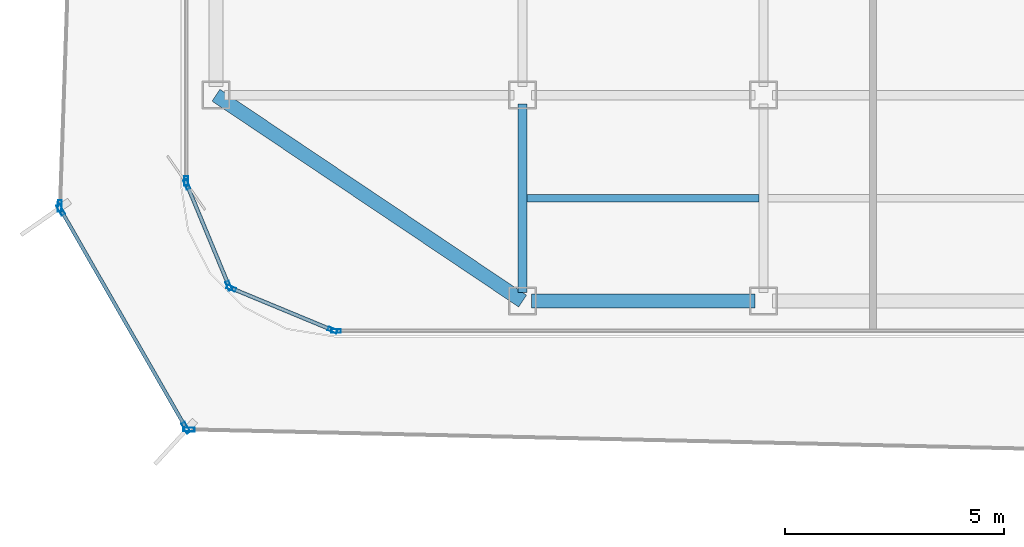
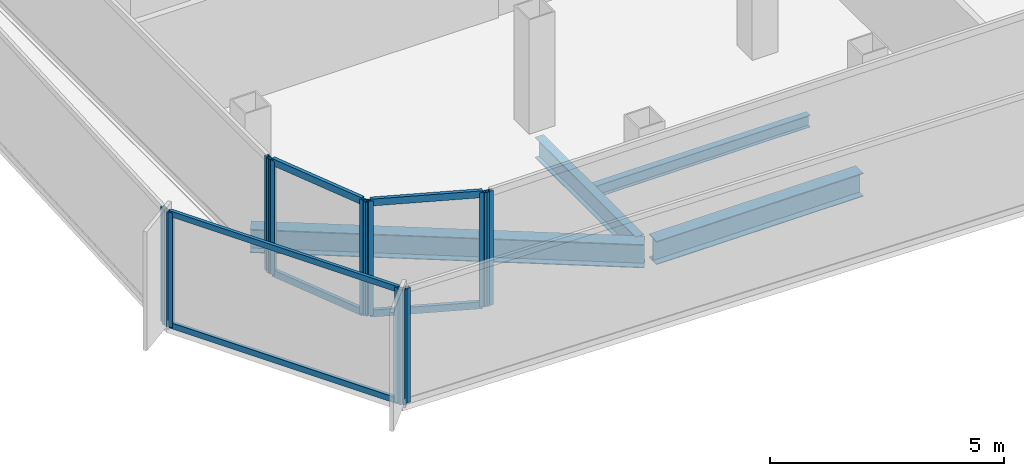
# One storey, part 2 of 15: 16 members, 4 beams, 7 elements without a shape of their own.
"""IFC4 building model written with IfcOpenShell, lengths in metres."""

from ifc_helpers import new_model, si_unit, direction, frame, origin, origin_2d, place, context, subcontext, project, spatial, hollow_rectangle, i_section, extrude, source, transform, mapped, material, layer, layer_set, material_profile, profile_set, type_object, element, aggregate, save


model = new_model("IFC4")

# Units and contexts
model_context = context("Model", 3, precision=1e-05, world=origin(), true_north=direction((0.0, 1.0)))
body_context = subcontext(model_context, "Body", "Model", "MODEL_VIEW")
ifc_project = project(units=[si_unit("LENGTHUNIT", "METRE"), si_unit("AREAUNIT", "SQUARE_METRE"), si_unit("VOLUMEUNIT", "CUBIC_METRE"), si_unit("PLANEANGLEUNIT", "RADIAN"), si_unit("MASSUNIT", "GRAM", prefix="KILO")], contexts=[model_context])

# Site, building, storey
site_placement = place(None, origin())
site = spatial("IfcSite", under=ifc_project, at=site_placement, CompositionType="ELEMENT")
building_placement = place(site_placement, origin())
building = spatial("IfcBuilding", under=site, at=building_placement, Name="Kolveth Station Tower", CompositionType="ELEMENT")
storey_placement = place(building_placement, frame((0.0, 0.0, 264.89990234375)))
storey = spatial("IfcBuildingStorey", under=building, at=storey_placement, Name="L76", CompositionType="ELEMENT", Elevation=264.89990234375)

# Beams
ifc_material_1 = material(Name="Steel S355", Category="steel")
ifc_material_profile_1 = material_profile(ifc_material_1, i_section(OverallWidth=0.323974609375, OverallDepth=0.611083984375, WebThickness=0.0126953125, FlangeThickness=0.01904296875, at=origin_2d()), Name="W610x155")
ifc_profile_set_1 = profile_set([ifc_material_profile_1], Name="Steel S355")
beam_type_1 = type_object("IfcBeamType", Name="Beam_SP2", PredefinedType="SPANDREL", material=ifc_profile_set_1)
shared_shape_1 = source(origin(), body_context, "Body", "SweptSolid", [
    extrude(i_section(OverallWidth=0.323974609375, OverallDepth=0.611083984375, WebThickness=0.0126953125, FlangeThickness=0.01904296875, at=origin_2d()), origin(), (0.0, 0.0, 1.0), 8.431396484375),
])
beam_1_placement = place(storey_placement, frame((6.0, 5.5, -0.525390625), z_axis=(0.830223811004, -0.557430196206, 0.0), x_axis=(0.557430196206, 0.830223811004, 0.0)))
element("IfcBeam", 1, at=beam_1_placement, inside=storey, type_object=beam_type_1, Name="L76 Corner Edge Girder BM-L76-CNR-SW", PredefinedType="SPANDREL", context=body_context, shape_type="MappedRepresentation", body=[
    mapped(shared_shape_1, transform((0.0, 0.0, 0.0), x_axis=(1.0, 0.0, 0.0), y_axis=(0.0, 1.0, 0.0), z_axis=(0.0, 0.0, 1.0), scale=1.0)),
])
shared_shape_2 = source(origin(), body_context, "Body", "SweptSolid", [
    extrude(i_section(OverallWidth=0.323974609375, OverallDepth=0.611083984375, WebThickness=0.0126953125, FlangeThickness=0.01904296875, at=origin_2d()), origin(), (0.0, 0.0, 1.0), 5.10009765625),
])
beam_2_placement = place(storey_placement, frame((13.199951171875, 0.800048828125, -0.525390625), z_axis=(1.0, 0.0, 0.0), x_axis=(0.0, 1.0, 0.0)))
element("IfcBeam", 2, at=beam_2_placement, inside=storey, type_object=beam_type_1, Name="L76 Perimeter Spandrel BM-L76-PS-1", PredefinedType="SPANDREL", context=body_context, shape_type="MappedRepresentation", body=[
    mapped(shared_shape_2, transform((0.0, 0.0, 0.0), x_axis=(1.0, 0.0, 0.0), y_axis=(0.0, 1.0, 0.0), z_axis=(0.0, 0.0, 1.0), scale=1.0)),
])
ifc_material_profile_2 = material_profile(ifc_material_1, i_section(OverallWidth=0.2099609375, OverallDepth=0.537109375, WebThickness=0.010986328125, FlangeThickness=0.017333984375, at=origin_2d()), Name="W530x101")
ifc_profile_set_2 = profile_set([ifc_material_profile_2], Name="Steel S355")
beam_type_2 = type_object("IfcBeamType", Name="Beam_B6", PredefinedType="BEAM", material=ifc_profile_set_2)
shared_shape_3 = source(origin(), body_context, "Body", "SweptSolid", [
    extrude(i_section(OverallWidth=0.2099609375, OverallDepth=0.537109375, WebThickness=0.010986328125, FlangeThickness=0.017333984375, at=origin_2d()), origin(), (0.0, 0.0, 1.0), 4.300048828125),
])
beam_3_placement = place(storey_placement, frame((13.0, 1.0, -0.48828125), z_axis=(0.0, 1.0, 0.0), x_axis=(-1.0, 0.0, 0.0)))
element("IfcBeam", 3, at=beam_3_placement, inside=storey, type_object=beam_type_2, Name="L76 Primary Girder BM-L76-GX130-1", PredefinedType="BEAM", context=body_context, shape_type="MappedRepresentation", body=[
    mapped(shared_shape_3, transform((0.0, 0.0, 0.0), x_axis=(1.0, 0.0, 0.0), y_axis=(0.0, 1.0, 0.0), z_axis=(0.0, 0.0, 1.0), scale=1.0)),
])
ifc_material_profile_3 = material_profile(ifc_material_1, i_section(OverallWidth=0.1650390625, OverallDepth=0.31005859375, WebThickness=0.005859375, FlangeThickness=0.009765625, at=origin_2d()), Name="W310x39")
ifc_profile_set_3 = profile_set([ifc_material_profile_3], Name="Steel S355")
beam_type_3 = type_object("IfcBeamType", Name="Beam_J3", PredefinedType="JOIST", material=ifc_profile_set_3)
shared_shape_4 = source(origin(), body_context, "Body", "SweptSolid", [
    extrude(i_section(OverallWidth=0.1650390625, OverallDepth=0.31005859375, WebThickness=0.005859375, FlangeThickness=0.009765625, at=origin_2d()), origin(), (0.0, 0.0, 1.0), 5.2939453125),
])
beam_4_placement = place(storey_placement, frame((13.10302734375, 3.14990234375, -0.375), z_axis=(1.0, 0.0, 0.0), x_axis=(0.0, 1.0, 0.0)))
element("IfcBeam", 4, at=beam_4_placement, inside=storey, type_object=beam_type_3, Name="L76 Secondary Joist JST-L76-2-1", PredefinedType="JOIST", context=body_context, shape_type="MappedRepresentation", body=[
    mapped(shared_shape_4, transform((0.0, 0.0, 0.0), x_axis=(1.0, 0.0, 0.0), y_axis=(0.0, 1.0, 0.0), z_axis=(0.0, 0.0, 1.0), scale=1.0)),
])

# Curtain wall, member
ifc_material_2 = material(Name="Black anodized aluminium 6063-T6 and dark solar glass", Category="aluminium")
ifc_layer_1 = layer(ifc_material_2, 0.159912109375)
ifc_layer_set_1 = layer_set([ifc_layer_1], Name="Black anodized aluminium 6063-T6 and dark solar glass")
curtain_wall_type_1 = type_object("IfcCurtainWallType", Name="OUTER SKIN CW-OS", PredefinedType="NOTDEFINED", material=ifc_layer_set_1)
curtain_wall_1_placement = place(storey_placement, origin())
curtain_wall_1 = element("IfcCurtainWall", 5, at=curtain_wall_1_placement, inside=storey, type_object=curtain_wall_type_1, Name="L76 Outer Ventilated Skin Curtain Wall 6", PredefinedType="NOTDEFINED")
ifc_material_3 = material(Name="Black anodized aluminium 6063-T6", Category="aluminium")
ifc_material_profile_4 = material_profile(ifc_material_3, hollow_rectangle(XDim=0.090087890625, YDim=0.260009765625, WallThickness=0.0048828125, at=origin_2d()), Name="ALU-90x260x5")
ifc_profile_set_4 = profile_set([ifc_material_profile_4], Name="Black anodized aluminium 6063-T6")
member_type_1 = type_object("IfcMemberType", Name="FIN MULLION ML-OS", PredefinedType="MULLION", material=ifc_profile_set_4)
shared_shape_5 = source(origin(), body_context, "Body", "SweptSolid", [
    extrude(hollow_rectangle(XDim=0.090087890625, YDim=0.260009765625, WallThickness=0.0048828125, at=origin_2d()), origin(), (0.0, 0.0, 1.0), 2.989990234375),
])
member_1_placement = place(storey_placement, frame((2.4345703125, 2.971435546875, 0.0), z_axis=(0.0, 0.0, 1.0), x_axis=(0.999402286129, -0.034569791444, 0.0)))
member_1 = element("IfcMember", 6, at=member_1_placement, type_object=member_type_1, Name="CW-OS mullion 2", PredefinedType="MULLION", context=body_context, shape_type="MappedRepresentation", body=[
    mapped(shared_shape_5, transform((0.0, 0.0, 0.0), x_axis=(1.0, 0.0, 0.0), y_axis=(0.0, 1.0, 0.0), z_axis=(0.0, 0.0, 1.0), scale=1.0)),
])
aggregate(curtain_wall_1, [member_1])

# Curtain wall, members
curtain_wall_2_placement = place(storey_placement, origin())
curtain_wall_2 = element("IfcCurtainWall", 7, at=curtain_wall_2_placement, inside=storey, type_object=curtain_wall_type_1, Name="L76 Outer Ventilated Skin Curtain Wall 7", PredefinedType="NOTDEFINED")
member_2_placement = place(storey_placement, frame((2.455322265625, 2.887451171875, 0.0), z_axis=(0.0, 0.0, 1.0), x_axis=(0.867328907419, 0.497735438115, 0.0)))
member_2 = element("IfcMember", 8, at=member_2_placement, type_object=member_type_1, Name="CW-OS mullion 1", PredefinedType="MULLION", context=body_context, shape_type="MappedRepresentation", body=[
    mapped(shared_shape_5, transform((0.0, 0.0, 0.0), x_axis=(1.0, 0.0, 0.0), y_axis=(0.0, 1.0, 0.0), z_axis=(0.0, 0.0, 1.0), scale=1.0)),
])
member_3_placement = place(storey_placement, frame((5.313232421875, -2.092529296875, 0.0), z_axis=(0.0, 0.0, 1.0), x_axis=(0.867328907419, 0.497735438115, 0.0)))
member_3 = element("IfcMember", 9, at=member_3_placement, type_object=member_type_1, Name="CW-OS mullion 2", PredefinedType="MULLION", context=body_context, shape_type="MappedRepresentation", body=[
    mapped(shared_shape_5, transform((0.0, 0.0, 0.0), x_axis=(1.0, 0.0, 0.0), y_axis=(0.0, 1.0, 0.0), z_axis=(0.0, 0.0, 1.0), scale=1.0)),
])

# Curtain wall, member
curtain_wall_3_placement = place(storey_placement, origin())
curtain_wall_3 = element("IfcCurtainWall", 10, at=curtain_wall_3_placement, inside=storey, type_object=curtain_wall_type_1, Name="L76 Outer Ventilated Skin Curtain Wall 8", PredefinedType="NOTDEFINED")
member_4_placement = place(storey_placement, frame((5.380615234375, -2.132568359375, 0.0), z_axis=(0.0, 0.0, 1.0), x_axis=(0.022967516648, 0.999736211797, 0.0)))
member_4 = element("IfcMember", 11, at=member_4_placement, type_object=member_type_1, Name="CW-OS mullion 1", PredefinedType="MULLION", context=body_context, shape_type="MappedRepresentation", body=[
    mapped(shared_shape_5, transform((0.0, 0.0, 0.0), x_axis=(1.0, 0.0, 0.0), y_axis=(0.0, 1.0, 0.0), z_axis=(0.0, 0.0, 1.0), scale=1.0)),
])
aggregate(curtain_wall_3, [member_4])

ifc_material_4 = material(Name="Aluminium 6063-T6 and triple low-E dark glass", Category="aluminium")
ifc_layer_2 = layer(ifc_material_4, 0.199951171875)
ifc_layer_set_2 = layer_set([ifc_layer_2], Name="Aluminium 6063-T6 and triple low-E dark glass")
curtain_wall_type_2 = type_object("IfcCurtainWallType", Name="CurtainWall_CW-Z3", PredefinedType="NOTDEFINED", material=ifc_layer_set_2)
curtain_wall_4_placement = place(storey_placement, origin())
curtain_wall_4 = element("IfcCurtainWall", 12, at=curtain_wall_4_placement, inside=storey, type_object=curtain_wall_type_2, Name="L76 Inner Thermal Curtain Wall 9", PredefinedType="NOTDEFINED")
ifc_material_profile_5 = material_profile(ifc_material_3, hollow_rectangle(XDim=0.0849609375, YDim=0.215087890625, WallThickness=0.0048828125, at=origin_2d()), Name="ALU-85x215x5")
ifc_profile_set_5 = profile_set([ifc_material_profile_5], Name="Black anodized aluminium 6063-T6")
member_type_2 = type_object("IfcMemberType", Name="Mullion_ML3", PredefinedType="MULLION", material=ifc_profile_set_5)
shared_shape_6 = source(origin(), body_context, "Body", "SweptSolid", [
    extrude(hollow_rectangle(XDim=0.0849609375, YDim=0.215087890625, WallThickness=0.0048828125, at=origin_2d()), origin(), (0.0, 0.0, 1.0), 2.97998046875),
])
member_5_placement = place(storey_placement, frame((5.320068359375, 3.54248046875, 0.0), z_axis=(0.0, 0.0, 1.0), x_axis=(1.0, 0.0, 0.0)))
member_5 = element("IfcMember", 13, at=member_5_placement, type_object=member_type_2, Name="CW-Z3 mullion 2", PredefinedType="MULLION", context=body_context, shape_type="MappedRepresentation", body=[
    mapped(shared_shape_6, transform((0.0, 0.0, 0.0), x_axis=(1.0, 0.0, 0.0), y_axis=(0.0, 1.0, 0.0), z_axis=(0.0, 0.0, 1.0), scale=1.0)),
])
aggregate(curtain_wall_4, [member_5])

# Curtain wall, members
curtain_wall_5_placement = place(storey_placement, origin())
curtain_wall_5 = element("IfcCurtainWall", 14, at=curtain_wall_5_placement, inside=storey, type_object=curtain_wall_type_2, Name="L76 Inner Thermal Curtain Wall 10", PredefinedType="NOTDEFINED")
member_6_placement = place(storey_placement, frame((5.336181640625, 3.460693359375, 0.0), z_axis=(0.0, 0.0, 1.0), x_axis=(0.923875488975, 0.382693194181, 0.0)))
member_6 = element("IfcMember", 15, at=member_6_placement, type_object=member_type_2, Name="CW-Z3 mullion 1", PredefinedType="MULLION", context=body_context, shape_type="MappedRepresentation", body=[
    mapped(shared_shape_6, transform((0.0, 0.0, 0.0), x_axis=(1.0, 0.0, 0.0), y_axis=(0.0, 1.0, 0.0), z_axis=(0.0, 0.0, 1.0), scale=1.0)),
])
member_7_placement = place(storey_placement, frame((6.293701171875, 1.149169921875, 0.0), z_axis=(0.0, 0.0, 1.0), x_axis=(0.923875488975, 0.382693194181, 0.0)))
member_7 = element("IfcMember", 16, at=member_7_placement, type_object=member_type_2, Name="CW-Z3 mullion 2", PredefinedType="MULLION", context=body_context, shape_type="MappedRepresentation", body=[
    mapped(shared_shape_6, transform((0.0, 0.0, 0.0), x_axis=(1.0, 0.0, 0.0), y_axis=(0.0, 1.0, 0.0), z_axis=(0.0, 0.0, 1.0), scale=1.0)),
])

curtain_wall_6_placement = place(storey_placement, origin())
curtain_wall_6 = element("IfcCurtainWall", 17, at=curtain_wall_6_placement, inside=storey, type_object=curtain_wall_type_2, Name="L76 Inner Thermal Curtain Wall 11", PredefinedType="NOTDEFINED")
member_8_placement = place(storey_placement, frame((6.349365234375, 1.09375, 0.0), z_axis=(0.0, 0.0, 1.0), x_axis=(0.382693194181, 0.923875488975, 0.0)))
member_8 = element("IfcMember", 18, at=member_8_placement, type_object=member_type_2, Name="CW-Z3 mullion 1", PredefinedType="MULLION", context=body_context, shape_type="MappedRepresentation", body=[
    mapped(shared_shape_6, transform((0.0, 0.0, 0.0), x_axis=(1.0, 0.0, 0.0), y_axis=(0.0, 1.0, 0.0), z_axis=(0.0, 0.0, 1.0), scale=1.0)),
])
member_9_placement = place(storey_placement, frame((8.66064453125, 0.13623046875, 0.0), z_axis=(0.0, 0.0, 1.0), x_axis=(0.382693194181, 0.923875488975, 0.0)))
member_9 = element("IfcMember", 19, at=member_9_placement, type_object=member_type_2, Name="CW-Z3 mullion 2", PredefinedType="MULLION", context=body_context, shape_type="MappedRepresentation", body=[
    mapped(shared_shape_6, transform((0.0, 0.0, 0.0), x_axis=(1.0, 0.0, 0.0), y_axis=(0.0, 1.0, 0.0), z_axis=(0.0, 0.0, 1.0), scale=1.0)),
])

# Curtain wall, member
curtain_wall_7_placement = place(storey_placement, origin())
curtain_wall_7 = element("IfcCurtainWall", 20, at=curtain_wall_7_placement, inside=storey, type_object=curtain_wall_type_2, Name="L76 Inner Thermal Curtain Wall 12", PredefinedType="NOTDEFINED")
member_10_placement = place(storey_placement, frame((8.742431640625, 0.1201171875, 0.0), z_axis=(0.0, 0.0, 1.0), x_axis=(0.0, 1.0, 0.0)))
member_10 = element("IfcMember", 21, at=member_10_placement, type_object=member_type_2, Name="CW-Z3 mullion 1", PredefinedType="MULLION", context=body_context, shape_type="MappedRepresentation", body=[
    mapped(shared_shape_6, transform((0.0, 0.0, 0.0), x_axis=(1.0, 0.0, 0.0), y_axis=(0.0, 1.0, 0.0), z_axis=(0.0, 0.0, 1.0), scale=1.0)),
])
aggregate(curtain_wall_7, [member_10])

# Member
ifc_material_profile_6 = material_profile(ifc_material_3, hollow_rectangle(XDim=0.0849609375, YDim=0.179931640625, WallThickness=0.0048828125, at=origin_2d()), Name="ALU-85x180x5")
ifc_profile_set_6 = profile_set([ifc_material_profile_6], Name="Black anodized aluminium 6063-T6")
member_type_3 = type_object("IfcMemberType", Name="Transom_TR3", PredefinedType="USERDEFINED", material=ifc_profile_set_6)
shared_shape_7 = source(origin(), body_context, "Body", "SweptSolid", [
    extrude(hollow_rectangle(XDim=0.0849609375, YDim=0.179931640625, WallThickness=0.0048828125, at=origin_2d()), origin(), (0.0, 0.0, 1.0), 2.4169921875),
])
member_11_placement = place(storey_placement, frame((5.3525390625, 3.42138671875, 0.04248046875), z_axis=(0.382735401206, -0.9238580046, 0.0), x_axis=(0.9238580046, 0.382735401206, 0.0)))
member_11 = element("IfcMember", 22, at=member_11_placement, type_object=member_type_3, Name="CW-Z3 transom 1.1", ObjectType="TRANSOM", PredefinedType="USERDEFINED", context=body_context, shape_type="MappedRepresentation", body=[
    mapped(shared_shape_7, transform((0.0, 0.0, 0.0), x_axis=(1.0, 0.0, 0.0), y_axis=(0.0, 1.0, 0.0), z_axis=(0.0, 0.0, 1.0), scale=1.0)),
])

member_12_placement = place(storey_placement, frame((5.3525390625, 3.42138671875, 2.9375), z_axis=(0.382735401206, -0.9238580046, 0.0), x_axis=(0.9238580046, 0.382735401206, 0.0)))
member_12 = element("IfcMember", 23, at=member_12_placement, type_object=member_type_3, Name="CW-Z3 transom 1.2", ObjectType="TRANSOM", PredefinedType="USERDEFINED", context=body_context, shape_type="MappedRepresentation", body=[
    mapped(shared_shape_7, transform((0.0, 0.0, 0.0), x_axis=(1.0, 0.0, 0.0), y_axis=(0.0, 1.0, 0.0), z_axis=(0.0, 0.0, 1.0), scale=1.0)),
])

aggregate(curtain_wall_5, [member_6, member_7, member_11, member_12])

member_13_placement = place(storey_placement, frame((6.388427734375, 1.077392578125, 0.04248046875), z_axis=(0.923908507952, -0.382613471971, 0.0), x_axis=(0.382613471971, 0.923908507952, 0.0)))
member_13 = element("IfcMember", 24, at=member_13_placement, type_object=member_type_3, Name="CW-Z3 transom 1.1", ObjectType="TRANSOM", PredefinedType="USERDEFINED", context=body_context, shape_type="MappedRepresentation", body=[
    mapped(shared_shape_7, transform((0.0, 0.0, 0.0), x_axis=(1.0, 0.0, 0.0), y_axis=(0.0, 1.0, 0.0), z_axis=(0.0, 0.0, 1.0), scale=1.0)),
])

member_14_placement = place(storey_placement, frame((6.388427734375, 1.077392578125, 2.9375), z_axis=(0.923908507952, -0.382613471971, 0.0), x_axis=(0.382613471971, 0.923908507952, 0.0)))
member_14 = element("IfcMember", 25, at=member_14_placement, type_object=member_type_3, Name="CW-Z3 transom 1.2", ObjectType="TRANSOM", PredefinedType="USERDEFINED", context=body_context, shape_type="MappedRepresentation", body=[
    mapped(shared_shape_7, transform((0.0, 0.0, 0.0), x_axis=(1.0, 0.0, 0.0), y_axis=(0.0, 1.0, 0.0), z_axis=(0.0, 0.0, 1.0), scale=1.0)),
])

aggregate(curtain_wall_6, [member_8, member_9, member_13, member_14])

ifc_material_profile_7 = material_profile(ifc_material_3, hollow_rectangle(XDim=0.080078125, YDim=0.14990234375, WallThickness=0.0048828125, at=origin_2d()), Name="ALU-80x150x5")
ifc_profile_set_7 = profile_set([ifc_material_profile_7], Name="Black anodized aluminium 6063-T6")
member_type_4 = type_object("IfcMemberType", Name="Transom_TR-OS", PredefinedType="USERDEFINED", material=ifc_profile_set_7)
shared_shape_8 = source(origin(), body_context, "Body", "SweptSolid", [
    extrude(hollow_rectangle(XDim=0.080078125, YDim=0.14990234375, WallThickness=0.0048828125, at=origin_2d()), origin(), (0.0, 0.0, 1.0), 5.651611328125),
])
member_15_placement = place(storey_placement, frame((2.477783203125, 2.848388671875, 0.0400390625), z_axis=(0.49772912659, -0.867332529393, 0.0), x_axis=(0.867332529393, 0.49772912659, 0.0)))
member_15 = element("IfcMember", 26, at=member_15_placement, type_object=member_type_4, Name="CW-OS transom 1.1", ObjectType="TRANSOM", PredefinedType="USERDEFINED", context=body_context, shape_type="MappedRepresentation", body=[
    mapped(shared_shape_8, transform((0.0, 0.0, 0.0), x_axis=(1.0, 0.0, 0.0), y_axis=(0.0, 1.0, 0.0), z_axis=(0.0, 0.0, 1.0), scale=1.0)),
])

member_16_placement = place(storey_placement, frame((2.477783203125, 2.848388671875, 2.9501953125), z_axis=(0.49772912659, -0.867332529393, 0.0), x_axis=(0.867332529393, 0.49772912659, 0.0)))
member_16 = element("IfcMember", 27, at=member_16_placement, type_object=member_type_4, Name="CW-OS transom 1.2", ObjectType="TRANSOM", PredefinedType="USERDEFINED", context=body_context, shape_type="MappedRepresentation", body=[
    mapped(shared_shape_8, transform((0.0, 0.0, 0.0), x_axis=(1.0, 0.0, 0.0), y_axis=(0.0, 1.0, 0.0), z_axis=(0.0, 0.0, 1.0), scale=1.0)),
])

aggregate(curtain_wall_2, [member_2, member_3, member_15, member_16])

save(model, "model.ifc")
